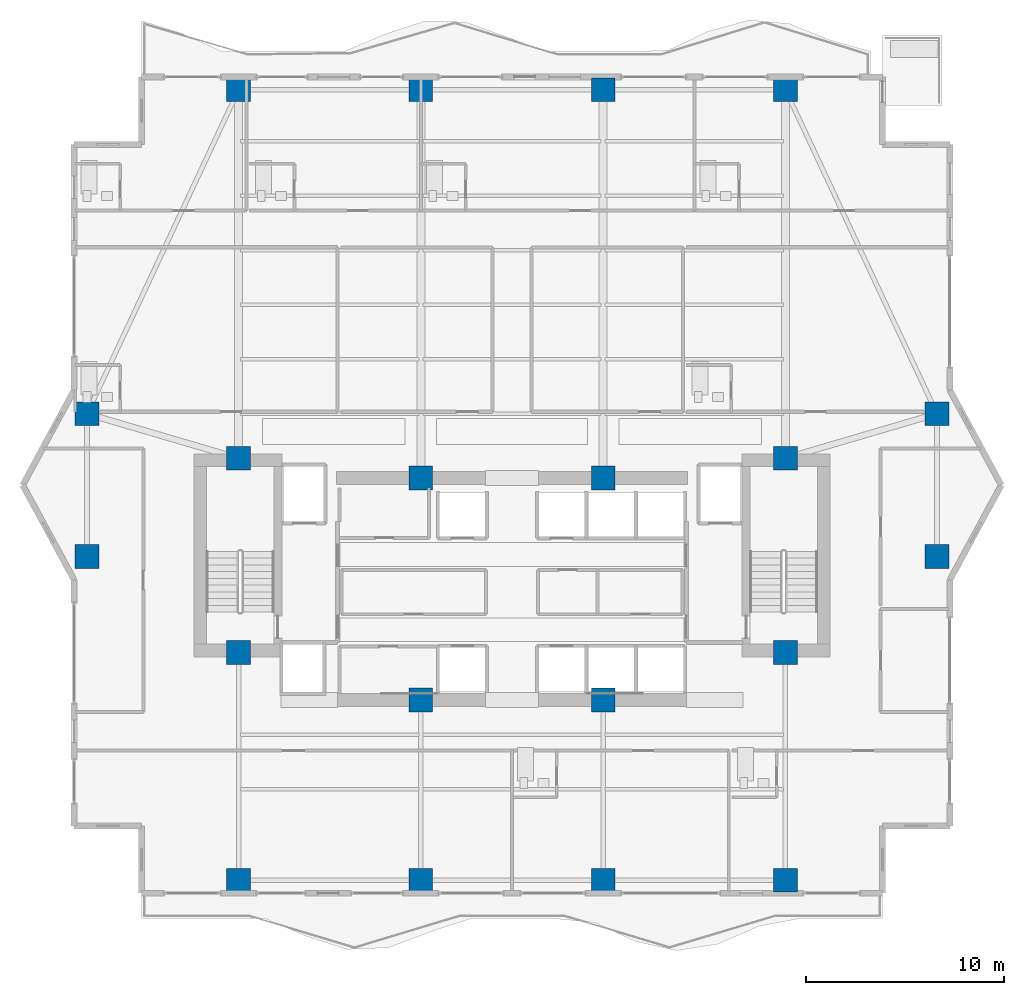
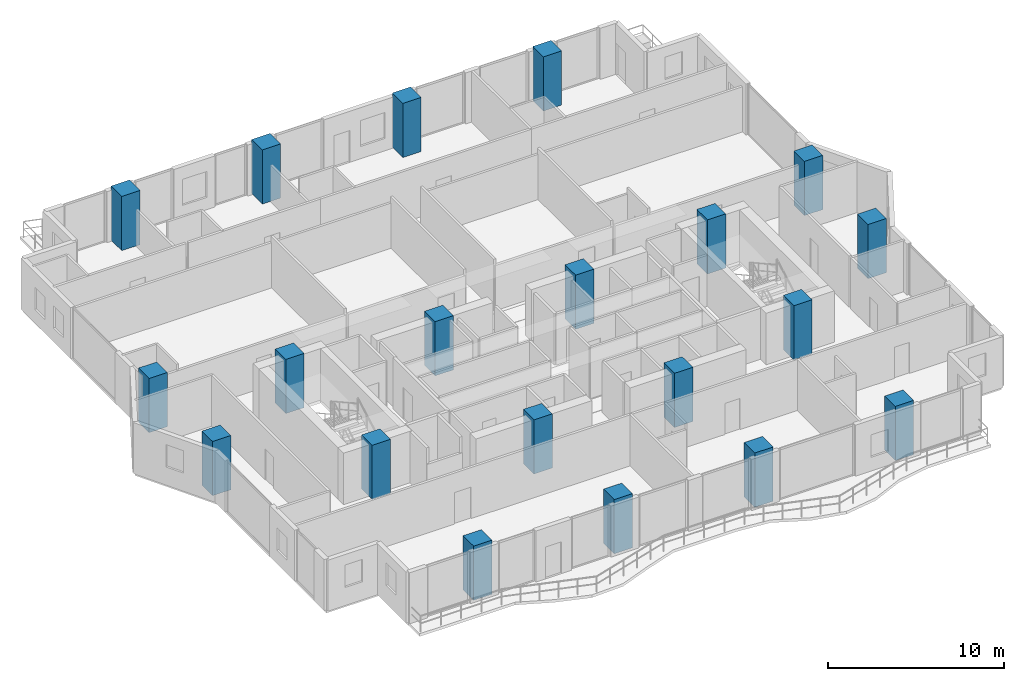
# One storey, part 1 of 33: 20 columns.
"""IFC4 building model written with IfcOpenShell, lengths in metres."""

from ifc_helpers import new_model, si_unit, direction, frame, origin, origin_2d, place, context, subcontext, project, spatial, rectangle, extrude, material, material_profile, profile_set, type_object, element, save


model = new_model("IFC4")

# Units and contexts
model_context = context("Model", 3, precision=1e-05, world=origin(), true_north=direction((0.0, 1.0)))
body_context = subcontext(model_context, "Body", "Model", "MODEL_VIEW")
ifc_project = project(units=[si_unit("LENGTHUNIT", "METRE"), si_unit("AREAUNIT", "SQUARE_METRE"), si_unit("VOLUMEUNIT", "CUBIC_METRE"), si_unit("PLANEANGLEUNIT", "RADIAN"), si_unit("MASSUNIT", "GRAM", prefix="KILO")], contexts=[model_context])

# Site, building, storey
site_placement = place(None, origin())
site = spatial("IfcSite", under=ifc_project, at=site_placement, CompositionType="ELEMENT")
building_placement = place(site_placement, origin())
building = spatial("IfcBuilding", under=site, at=building_placement, Name="Zuhayl Quay Hotel", CompositionType="ELEMENT")
storey_placement = place(building_placement, frame((0.0, 0.0, 214.89990234375)))
storey = spatial("IfcBuildingStorey", under=building, at=storey_placement, Name="L54", CompositionType="ELEMENT", Elevation=214.89990234375)

# Columns
ifc_material = material(Name="Concrete C60/75", Category="concrete")
ifc_material_profile_1 = material_profile(ifc_material, rectangle(XDim=1.199951171875, YDim=1.199951171875, at=origin_2d()), Name="RC1200X1200")
ifc_profile_set_1 = profile_set([ifc_material_profile_1], Name="Concrete C60/75")
column_type_1 = type_object("IfcColumnType", Name="CL_CC2_1200", PredefinedType="COLUMN", material=ifc_profile_set_1)
for number, where, z_axis, x_axis, name in (
    (1, (-13.800048828125, 14.35009765625, 0.0), (0.0, 0.0, 1.0), (1.0, 0.0, 0.0), "L54 Core Column CC_NW"),
    (2, (-4.60009765625, 13.35009765625, 0.0), (0.0, 0.0, 1.0), (1.0, 0.0, 0.0), "L54 Core Column CC_CNW"),
    (3, (4.60009765625, 13.35009765625, 0.0), (0.0, 0.0, 1.0), (1.0, 0.0, 0.0), "L54 Core Column CC_CNE"),
    (4, (13.800048828125, 14.35009765625, 0.0), (0.0, 0.0, 1.0), (1.0, 0.0, 0.0), "L54 Core Column CC_NE"),
    (5, (-13.800048828125, 4.550048828125, 0.0), (0.0, 0.0, 1.0), (1.0, 0.0, 0.0), "L54 Core Column CC_SW"),
    (6, (-4.60009765625, 2.14990234375, 0.0), (0.0, 0.0, 1.0), (1.0, 0.0, 0.0), "L54 Core Column CC_CSW"),
    (7, (4.60009765625, 2.14990234375, 0.0), (0.0, 0.0, 1.0), (1.0, 0.0, 0.0), "L54 Core Column CC_CSE"),
    (8, (13.800048828125, 4.550048828125, 0.0), (0.0, 0.0, 1.0), (1.0, 0.0, 0.0), "L54 Core Column CC_SE"),
):
    element("IfcColumn", number, at=place(storey_placement, frame(where, z_axis=z_axis, x_axis=x_axis)), inside=storey, type_object=column_type_1, Name=name, PredefinedType="COLUMN", context=body_context, shape_type="SweptSolid", body=[
        extrude(rectangle(XDim=1.199951171875, YDim=1.199951171875, at=origin_2d()), origin(), (0.0, 0.0, 1.0), 3.75),
    ])
ifc_material_profile_2 = material_profile(ifc_material, rectangle(XDim=1.199951171875, YDim=1.199951171875, at=origin_2d()), Name="RC1200X1200")
ifc_profile_set_2 = profile_set([ifc_material_profile_2], Name="Concrete C60/75")
column_type_2 = type_object("IfcColumnType", Name="CL_MC3_1200", PredefinedType="COLUMN", material=ifc_profile_set_2)
for number, where, z_axis, x_axis, name in (
    (9, (-13.800048828125, -6.949951171875, 0.0), (0.0, 0.0, 1.0), (1.0, 0.0, 0.0), "L54 Mega-Column MC_S1"),
    (10, (-4.60009765625, -6.949951171875, 0.0), (0.0, 0.0, 1.0), (1.0, 0.0, 0.0), "L54 Mega-Column MC_S2"),
    (11, (4.60009765625, -6.949951171875, 0.0), (0.0, 0.0, 1.0), (1.0, 0.0, 0.0), "L54 Mega-Column MC_S3"),
    (12, (13.800048828125, -6.949951171875, 0.0), (0.0, 0.0, 1.0), (1.0, 0.0, 0.0), "L54 Mega-Column MC_S4"),
    (13, (-13.800048828125, 32.949951171875, 0.0), (0.0, 0.0, 1.0), (1.0, 0.0, 0.0), "L54 Mega-Column MC_N1"),
    (14, (-4.60009765625, 32.949951171875, 0.0), (0.0, 0.0, 1.0), (1.0, 0.0, 0.0), "L54 Mega-Column MC_N2"),
    (15, (4.60009765625, 32.949951171875, 0.0), (0.0, 0.0, 1.0), (1.0, 0.0, 0.0), "L54 Mega-Column MC_N3"),
    (16, (13.800048828125, 32.949951171875, 0.0), (0.0, 0.0, 1.0), (1.0, 0.0, 0.0), "L54 Mega-Column MC_N4"),
    (17, (-21.449951171875, 9.39990234375, 0.0), (0.0, 0.0, 1.0), (1.0, 0.0, 0.0), "L54 Mega-Column MC_W1"),
    (18, (-21.449951171875, 16.60009765625, 0.0), (0.0, 0.0, 1.0), (1.0, 0.0, 0.0), "L54 Mega-Column MC_W2"),
    (19, (21.449951171875, 9.39990234375, 0.0), (0.0, 0.0, 1.0), (1.0, 0.0, 0.0), "L54 Mega-Column MC_E1"),
    (20, (21.449951171875, 16.60009765625, 0.0), (0.0, 0.0, 1.0), (1.0, 0.0, 0.0), "L54 Mega-Column MC_E2"),
):
    element("IfcColumn", number, at=place(storey_placement, frame(where, z_axis=z_axis, x_axis=x_axis)), inside=storey, type_object=column_type_2, Name=name, PredefinedType="COLUMN", context=body_context, shape_type="SweptSolid", body=[
        extrude(rectangle(XDim=1.199951171875, YDim=1.199951171875, at=origin_2d()), origin(), (0.0, 0.0, 1.0), 3.75),
    ])

save(model, "model.ifc")
